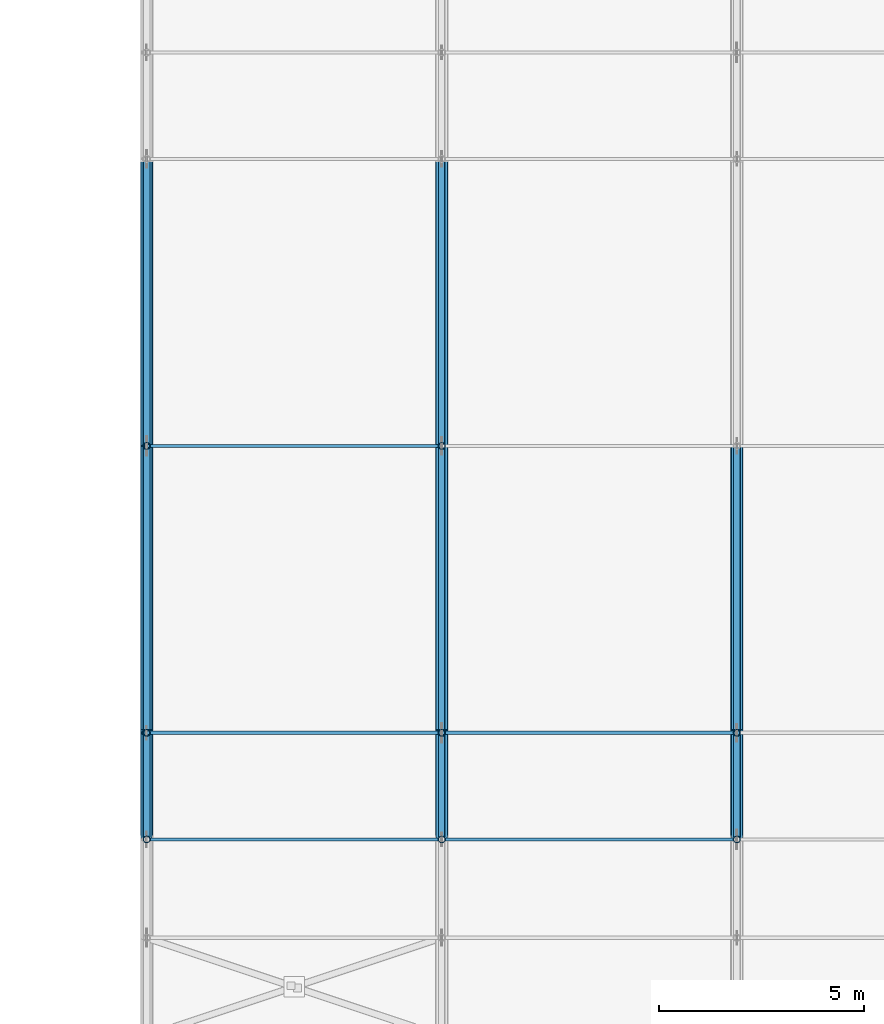
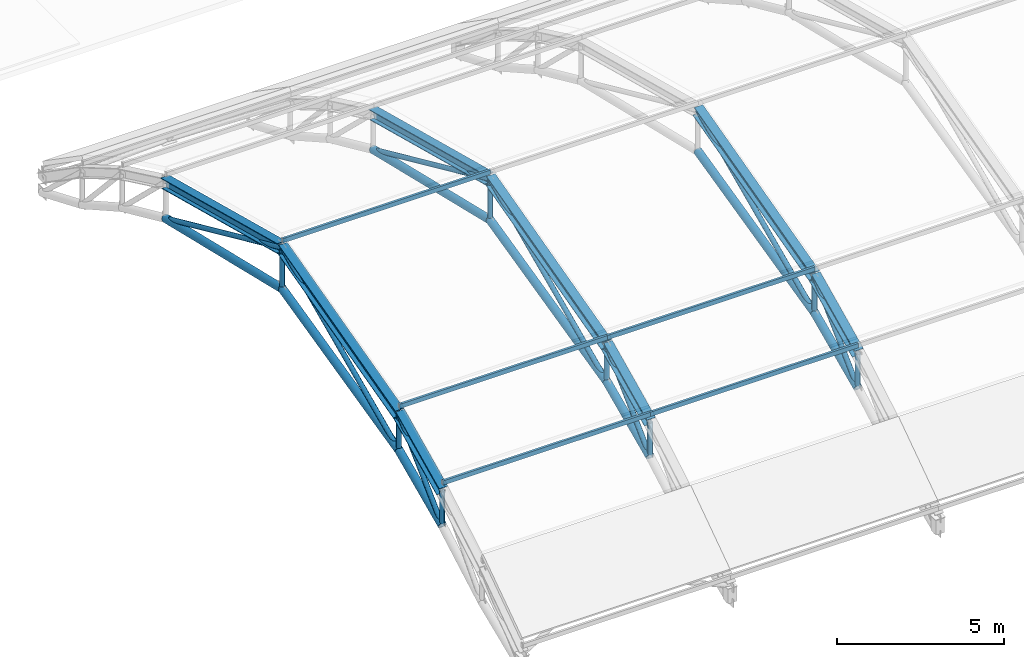
# One storey, part 10 of 63: 29 members, 8 beams.
"""IFC4 building model written with IfcOpenShell, lengths in metres."""

from ifc_helpers import new_model, si_unit, direction, frame, origin, origin_2d, place, context, subcontext, project, spatial, hollow_rectangle, hollow_circle, i_section, extrude, material, material_profile, profile_set, type_object, element, save


model = new_model("IFC4")

# Units and contexts
model_context = context("Model", 3, precision=1e-05, world=origin(), true_north=direction((0.0, 1.0)))
body_context = subcontext(model_context, "Body", "Model", "MODEL_VIEW")
ifc_project = project(units=[si_unit("LENGTHUNIT", "METRE"), si_unit("AREAUNIT", "SQUARE_METRE"), si_unit("VOLUMEUNIT", "CUBIC_METRE"), si_unit("PLANEANGLEUNIT", "RADIAN"), si_unit("MASSUNIT", "GRAM", prefix="KILO")], contexts=[model_context])

# Site, building, storey
site_placement = place(None, origin())
site = spatial("IfcSite", under=ifc_project, at=site_placement, CompositionType="ELEMENT")
building_placement = place(site_placement, origin())
building = spatial("IfcBuilding", under=site, at=building_placement, Name="Solvadek Multi-Sports Hall", CompositionType="ELEMENT")
storey_placement = place(building_placement, frame((0.0, 0.0, 19.199951171875)))
storey = spatial("IfcBuildingStorey", under=building, at=storey_placement, Name="RF", CompositionType="ELEMENT", Elevation=19.199951171875)

# Members
ifc_material_1 = material(Name="Steel E350 (350 MPa)", Category="steel")
ifc_material_profile_1 = material_profile(ifc_material_1, hollow_circle(Radius=0.084228515625, WallThickness=0.008056640625, at=origin_2d()), Name="CHS 168.3x8")
ifc_profile_set_1 = profile_set([ifc_material_profile_1], Name="Steel E350 (350 MPa)")
member_type_1 = type_object("IfcMemberType", Name="STR-BRC-CHS168", PredefinedType="BRACE", material=ifc_profile_set_1)
member_1_placement = place(storey_placement, frame((21.60009765625, 54.0, -2.441650390625), z_axis=(0.0, 0.0, 1.0), x_axis=(1.0, 0.0, 0.0)))
element("IfcMember", 1, at=member_1_placement, inside=storey, type_object=member_type_1, Name="v4 Truss 1 Web Vertical 2", PredefinedType="BRACE", context=body_context, shape_type="SweptSolid", body=[
    extrude(hollow_circle(Radius=0.084228515625, WallThickness=0.008056640625, at=origin_2d()), origin(), (0.0, 0.0, 1.0), 1.2666015625),
])
member_2_placement = place(storey_placement, frame((21.60009765625, 54.0, -2.441650390625), z_axis=(0.0, 0.720237610838, 0.693727456523), x_axis=(-1.0, 0.0, 0.0)))
element("IfcMember", 2, at=member_2_placement, inside=storey, type_object=member_type_1, Name="v4 Truss 1 Web Diagonal 3", PredefinedType="BRACE", context=body_context, shape_type="SweptSolid", body=[
    extrude(hollow_circle(Radius=0.084228515625, WallThickness=0.008056640625, at=origin_2d()), origin(), (0.0, 0.0, 1.0), 3.610107421875),
])
member_3_placement = place(storey_placement, frame((21.60009765625, 56.60009765625, -1.26708984375), z_axis=(0.0, 0.0, 1.0), x_axis=(1.0, 0.0, 0.0)))
element("IfcMember", 3, at=member_3_placement, inside=storey, type_object=member_type_1, Name="v4 Truss 1 Web Vertical 3", PredefinedType="BRACE", context=body_context, shape_type="SweptSolid", body=[
    extrude(hollow_circle(Radius=0.084228515625, WallThickness=0.008056640625, at=origin_2d()), origin(), (0.0, 0.0, 1.0), 1.329833984375),
])
member_4_placement = place(storey_placement, frame((21.60009765625, 56.60009765625, -1.26708984375), z_axis=(0.0, 0.911080077549, 0.412229417064), x_axis=(-1.0, 0.0, 0.0)))
element("IfcMember", 4, at=member_4_placement, inside=storey, type_object=member_type_1, Name="v4 Truss 1 Web Diagonal 4", PredefinedType="BRACE", context=body_context, shape_type="SweptSolid", body=[
    extrude(hollow_circle(Radius=0.084228515625, WallThickness=0.008056640625, at=origin_2d()), origin(), (0.0, 0.0, 1.0), 7.68310546875),
])
member_5_placement = place(storey_placement, frame((21.60009765625, 63.60009765625, 0.400146484375), z_axis=(0.0, 0.0, 1.0), x_axis=(1.0, 0.0, 0.0)))
element("IfcMember", 5, at=member_5_placement, inside=storey, type_object=member_type_1, Name="v4 Truss 1 Web Vertical 4", PredefinedType="BRACE", context=body_context, shape_type="SweptSolid", body=[
    extrude(hollow_circle(Radius=0.084228515625, WallThickness=0.008056640625, at=origin_2d()), origin(), (0.0, 0.0, 1.0), 1.5),
])
member_6_placement = place(storey_placement, frame((21.60009765625, 63.60009765625, 1.900146484375), z_axis=(0.0, 0.911080077549, -0.412229417064), x_axis=(-1.0, 0.0, 0.0)))
element("IfcMember", 6, at=member_6_placement, inside=storey, type_object=member_type_1, Name="v4 Truss 1 Web Diagonal 5", PredefinedType="BRACE", context=body_context, shape_type="SweptSolid", body=[
    extrude(hollow_circle(Radius=0.084228515625, WallThickness=0.008056640625, at=origin_2d()), origin(), (0.0, 0.0, 1.0), 7.68310546875),
])
member_7_placement = place(storey_placement, frame((28.800048828125, 54.0, -2.441650390625), z_axis=(0.0, 0.0, 1.0), x_axis=(1.0, 0.0, 0.0)))
element("IfcMember", 7, at=member_7_placement, inside=storey, type_object=member_type_1, Name="v4 Truss 2 Web Vertical 2", PredefinedType="BRACE", context=body_context, shape_type="SweptSolid", body=[
    extrude(hollow_circle(Radius=0.084228515625, WallThickness=0.008056640625, at=origin_2d()), origin(), (0.0, 0.0, 1.0), 1.2666015625),
])
member_8_placement = place(storey_placement, frame((28.800048828125, 54.0, -2.441650390625), z_axis=(0.0, 0.720237610838, 0.693727456523), x_axis=(-1.0, 0.0, 0.0)))
element("IfcMember", 8, at=member_8_placement, inside=storey, type_object=member_type_1, Name="v4 Truss 2 Web Diagonal 3", PredefinedType="BRACE", context=body_context, shape_type="SweptSolid", body=[
    extrude(hollow_circle(Radius=0.084228515625, WallThickness=0.008056640625, at=origin_2d()), origin(), (0.0, 0.0, 1.0), 3.610107421875),
])
member_9_placement = place(storey_placement, frame((28.800048828125, 56.60009765625, -1.26708984375), z_axis=(0.0, 0.0, 1.0), x_axis=(1.0, 0.0, 0.0)))
element("IfcMember", 9, at=member_9_placement, inside=storey, type_object=member_type_1, Name="v4 Truss 2 Web Vertical 3", PredefinedType="BRACE", context=body_context, shape_type="SweptSolid", body=[
    extrude(hollow_circle(Radius=0.084228515625, WallThickness=0.008056640625, at=origin_2d()), origin(), (0.0, 0.0, 1.0), 1.329833984375),
])
member_10_placement = place(storey_placement, frame((28.800048828125, 56.60009765625, -1.26708984375), z_axis=(0.0, 0.911080077549, 0.412229417064), x_axis=(-1.0, 0.0, 0.0)))
element("IfcMember", 10, at=member_10_placement, inside=storey, type_object=member_type_1, Name="v4 Truss 2 Web Diagonal 4", PredefinedType="BRACE", context=body_context, shape_type="SweptSolid", body=[
    extrude(hollow_circle(Radius=0.084228515625, WallThickness=0.008056640625, at=origin_2d()), origin(), (0.0, 0.0, 1.0), 7.68310546875),
])
member_11_placement = place(storey_placement, frame((28.800048828125, 63.60009765625, 0.400146484375), z_axis=(0.0, 0.0, 1.0), x_axis=(1.0, 0.0, 0.0)))
element("IfcMember", 11, at=member_11_placement, inside=storey, type_object=member_type_1, Name="v4 Truss 2 Web Vertical 4", PredefinedType="BRACE", context=body_context, shape_type="SweptSolid", body=[
    extrude(hollow_circle(Radius=0.084228515625, WallThickness=0.008056640625, at=origin_2d()), origin(), (0.0, 0.0, 1.0), 1.5),
])
member_12_placement = place(storey_placement, frame((28.800048828125, 63.60009765625, 1.900146484375), z_axis=(0.0, 0.911080077549, -0.412229417064), x_axis=(-1.0, 0.0, 0.0)))
element("IfcMember", 12, at=member_12_placement, inside=storey, type_object=member_type_1, Name="v4 Truss 2 Web Diagonal 5", PredefinedType="BRACE", context=body_context, shape_type="SweptSolid", body=[
    extrude(hollow_circle(Radius=0.084228515625, WallThickness=0.008056640625, at=origin_2d()), origin(), (0.0, 0.0, 1.0), 7.68310546875),
])
member_13_placement = place(storey_placement, frame((36.0, 54.0, -2.441650390625), z_axis=(0.0, 0.0, 1.0), x_axis=(1.0, 0.0, 0.0)))
element("IfcMember", 13, at=member_13_placement, inside=storey, type_object=member_type_1, Name="v4 Truss 3 Web Vertical 2", PredefinedType="BRACE", context=body_context, shape_type="SweptSolid", body=[
    extrude(hollow_circle(Radius=0.084228515625, WallThickness=0.008056640625, at=origin_2d()), origin(), (0.0, 0.0, 1.0), 1.2666015625),
])
member_14_placement = place(storey_placement, frame((36.0, 54.0, -2.441650390625), z_axis=(0.0, 0.720237610838, 0.693727456523), x_axis=(-1.0, 0.0, 0.0)))
element("IfcMember", 14, at=member_14_placement, inside=storey, type_object=member_type_1, Name="v4 Truss 3 Web Diagonal 3", PredefinedType="BRACE", context=body_context, shape_type="SweptSolid", body=[
    extrude(hollow_circle(Radius=0.084228515625, WallThickness=0.008056640625, at=origin_2d()), origin(), (0.0, 0.0, 1.0), 3.610107421875),
])
member_15_placement = place(storey_placement, frame((36.0, 56.60009765625, -1.26708984375), z_axis=(0.0, 0.0, 1.0), x_axis=(1.0, 0.0, 0.0)))
element("IfcMember", 15, at=member_15_placement, inside=storey, type_object=member_type_1, Name="v4 Truss 3 Web Vertical 3", PredefinedType="BRACE", context=body_context, shape_type="SweptSolid", body=[
    extrude(hollow_circle(Radius=0.084228515625, WallThickness=0.008056640625, at=origin_2d()), origin(), (0.0, 0.0, 1.0), 1.329833984375),
])
member_16_placement = place(storey_placement, frame((36.0, 56.60009765625, -1.26708984375), z_axis=(0.0, 0.911080077549, 0.412229417064), x_axis=(-1.0, 0.0, 0.0)))
element("IfcMember", 16, at=member_16_placement, inside=storey, type_object=member_type_1, Name="v4 Truss 3 Web Diagonal 4", PredefinedType="BRACE", context=body_context, shape_type="SweptSolid", body=[
    extrude(hollow_circle(Radius=0.084228515625, WallThickness=0.008056640625, at=origin_2d()), origin(), (0.0, 0.0, 1.0), 7.68310546875),
])
ifc_material_profile_2 = material_profile(ifc_material_1, hollow_circle(Radius=0.136474609375, WallThickness=0.011962890625, at=origin_2d()), Name="CHS 273.0x12")
ifc_profile_set_2 = profile_set([ifc_material_profile_2], Name="Steel E350 (350 MPa)")
member_type_2 = type_object("IfcMemberType", Name="STR-CHD-CHS273", PredefinedType="CHORD", material=ifc_profile_set_2)
member_17_placement = place(storey_placement, frame((21.60009765625, 54.0, -2.441650390625), z_axis=(0.0, 0.911328142268, 0.411680722296), x_axis=(-1.0, 0.0, 0.0)))
element("IfcMember", 17, at=member_17_placement, inside=storey, type_object=member_type_2, Name="v4 Arched Truss 1 Bottom Chord 3", PredefinedType="CHORD", context=body_context, shape_type="SweptSolid", body=[
    extrude(hollow_circle(Radius=0.136474609375, WallThickness=0.011962890625, at=origin_2d()), origin(), (0.0, 0.0, 1.0), 2.85302734375),
])
for number, where, z_axis, x_axis, name in (
    (18, (21.60009765625, 56.60009765625, -1.26708984375), (0.0, 0.972788374031, 0.231695445252), (-1.0, 0.0, 0.0), "v4 Arched Truss 1 Bottom Chord 4"),
    (19, (21.60009765625, 63.60009765625, 0.400146484375), (0.0, 0.972788374031, -0.231695445252), (-1.0, 0.0, 0.0), "v4 Arched Truss 1 Bottom Chord 5"),
):
    element("IfcMember", number, at=place(storey_placement, frame(where, z_axis=z_axis, x_axis=x_axis)), inside=storey, type_object=member_type_2, Name=name, PredefinedType="CHORD", context=body_context, shape_type="SweptSolid", body=[
        extrude(hollow_circle(Radius=0.136474609375, WallThickness=0.011962890625, at=origin_2d()), origin(), (0.0, 0.0, 1.0), 7.19580078125),
    ])
member_18_placement = place(storey_placement, frame((28.800048828125, 54.0, -2.441650390625), z_axis=(0.0, 0.911328142268, 0.411680722296), x_axis=(-1.0, 0.0, 0.0)))
element("IfcMember", 20, at=member_18_placement, inside=storey, type_object=member_type_2, Name="v4 Arched Truss 2 Bottom Chord 3", PredefinedType="CHORD", context=body_context, shape_type="SweptSolid", body=[
    extrude(hollow_circle(Radius=0.136474609375, WallThickness=0.011962890625, at=origin_2d()), origin(), (0.0, 0.0, 1.0), 2.85302734375),
])
for number, where, z_axis, x_axis, name in (
    (21, (28.800048828125, 56.60009765625, -1.26708984375), (0.0, 0.972788374031, 0.231695445252), (-1.0, 0.0, 0.0), "v4 Arched Truss 2 Bottom Chord 4"),
    (22, (28.800048828125, 63.60009765625, 0.400146484375), (0.0, 0.972788374031, -0.231695445252), (-1.0, 0.0, 0.0), "v4 Arched Truss 2 Bottom Chord 5"),
):
    element("IfcMember", number, at=place(storey_placement, frame(where, z_axis=z_axis, x_axis=x_axis)), inside=storey, type_object=member_type_2, Name=name, PredefinedType="CHORD", context=body_context, shape_type="SweptSolid", body=[
        extrude(hollow_circle(Radius=0.136474609375, WallThickness=0.011962890625, at=origin_2d()), origin(), (0.0, 0.0, 1.0), 7.19580078125),
    ])
member_19_placement = place(storey_placement, frame((36.0, 54.0, -2.441650390625), z_axis=(0.0, 0.911328142268, 0.411680722296), x_axis=(-1.0, 0.0, 0.0)))
element("IfcMember", 23, at=member_19_placement, inside=storey, type_object=member_type_2, Name="v4 Arched Truss 3 Bottom Chord 3", PredefinedType="CHORD", context=body_context, shape_type="SweptSolid", body=[
    extrude(hollow_circle(Radius=0.136474609375, WallThickness=0.011962890625, at=origin_2d()), origin(), (0.0, 0.0, 1.0), 2.85302734375),
])
member_20_placement = place(storey_placement, frame((36.0, 56.60009765625, -1.26708984375), z_axis=(0.0, 0.972788374031, 0.231695445252), x_axis=(-1.0, 0.0, 0.0)))
element("IfcMember", 24, at=member_20_placement, inside=storey, type_object=member_type_2, Name="v4 Arched Truss 3 Bottom Chord 4", PredefinedType="CHORD", context=body_context, shape_type="SweptSolid", body=[
    extrude(hollow_circle(Radius=0.136474609375, WallThickness=0.011962890625, at=origin_2d()), origin(), (0.0, 0.0, 1.0), 7.19580078125),
])
ifc_material_2 = material(Name="Steel E250 (250 MPa)", Category="steel")
ifc_material_profile_3 = material_profile(ifc_material_2, hollow_rectangle(XDim=0.080078125, YDim=0.159912109375, WallThickness=0.006103515625, at=origin_2d()), Name="RHS 160x80x6")
ifc_profile_set_3 = profile_set([ifc_material_profile_3], Name="Steel E250 (250 MPa)")
member_type_3 = type_object("IfcMemberType", Name="STR-PUR-RHS160", PredefinedType="PURLIN", material=ifc_profile_set_3)
for number, where, z_axis, x_axis, name in (
    (25, (21.60009765625, 54.0, -0.88232421875), (1.0, 0.0, 0.0), (0.0, 1.0, 0.0), "V4 Roof Purlin #66"),
    (26, (21.60009765625, 56.60009765625, 0.34619140625), (1.0, 0.0, 0.0), (0.0, 1.0, 0.0), "V4 Roof Purlin #67"),
    (27, (21.60009765625, 63.60009765625, 2.170166015625), (1.0, 0.0, 0.0), (0.0, 1.0, 0.0), "V4 Roof Purlin #68"),
    (28, (28.800048828125, 54.0, -0.88232421875), (1.0, 0.0, 0.0), (0.0, 1.0, 0.0), "V4 Roof Purlin #75"),
    (29, (28.800048828125, 56.60009765625, 0.34619140625), (1.0, 0.0, 0.0), (0.0, 1.0, 0.0), "V4 Roof Purlin #76"),
):
    element("IfcMember", number, at=place(storey_placement, frame(where, z_axis=z_axis, x_axis=x_axis)), inside=storey, type_object=member_type_3, Name=name, PredefinedType="PURLIN", context=body_context, shape_type="SweptSolid", body=[
        extrude(hollow_rectangle(XDim=0.080078125, YDim=0.159912109375, WallThickness=0.006103515625, at=origin_2d()), origin(), (0.0, 0.0, 1.0), 7.199951171875),
    ])

# Beams
ifc_material_profile_4 = material_profile(ifc_material_1, i_section(OverallWidth=0.300048828125, OverallDepth=0.360107421875, WebThickness=0.012451171875, FlangeThickness=0.0224609375, at=origin_2d()), Name="WPB 360")
ifc_profile_set_4 = profile_set([ifc_material_profile_4], Name="Steel E350 (350 MPa)")
beam_type = type_object("IfcBeamType", Name="STR-TRS-WPB360", PredefinedType="USERDEFINED", material=ifc_profile_set_4)
beam_1_placement = place(storey_placement, frame((21.60009765625, 54.0, -1.175048828125), z_axis=(0.0, 0.902907526392, 0.429834850592), x_axis=(-1.0, 0.0, 0.0)))
element("IfcBeam", 30, at=beam_1_placement, inside=storey, type_object=beam_type, Name="v4 Arched Truss 1 Top Chord 3", ObjectType="ROOF TRUSS", PredefinedType="USERDEFINED", context=body_context, shape_type="SweptSolid", body=[
    extrude(i_section(OverallWidth=0.300048828125, OverallDepth=0.360107421875, WebThickness=0.012451171875, FlangeThickness=0.0224609375, at=origin_2d()), origin(), (0.0, 0.0, 1.0), 2.879638671875),
])
for number, where, z_axis, x_axis, name in (
    (31, (21.60009765625, 56.60009765625, 0.062744140625), (0.0, 0.967234279075, 0.253885504475), (-1.0, 0.0, 0.0), "v4 Arched Truss 1 Top Chord 4"),
    (32, (21.60009765625, 63.60009765625, 1.900146484375), (0.0, 0.967234279075, -0.253885504475), (-1.0, 0.0, 0.0), "v4 Arched Truss 1 Top Chord 5"),
):
    element("IfcBeam", number, at=place(storey_placement, frame(where, z_axis=z_axis, x_axis=x_axis)), inside=storey, type_object=beam_type, Name=name, ObjectType="ROOF TRUSS", PredefinedType="USERDEFINED", context=body_context, shape_type="SweptSolid", body=[
        extrude(i_section(OverallWidth=0.300048828125, OverallDepth=0.360107421875, WebThickness=0.012451171875, FlangeThickness=0.0224609375, at=origin_2d()), origin(), (0.0, 0.0, 1.0), 7.237060546875),
    ])
beam_2_placement = place(storey_placement, frame((28.800048828125, 54.0, -1.175048828125), z_axis=(0.0, 0.902907526392, 0.429834850592), x_axis=(-1.0, 0.0, 0.0)))
element("IfcBeam", 33, at=beam_2_placement, inside=storey, type_object=beam_type, Name="v4 Arched Truss 2 Top Chord 3", ObjectType="ROOF TRUSS", PredefinedType="USERDEFINED", context=body_context, shape_type="SweptSolid", body=[
    extrude(i_section(OverallWidth=0.300048828125, OverallDepth=0.360107421875, WebThickness=0.012451171875, FlangeThickness=0.0224609375, at=origin_2d()), origin(), (0.0, 0.0, 1.0), 2.879638671875),
])
for number, where, z_axis, x_axis, name in (
    (34, (28.800048828125, 56.60009765625, 0.062744140625), (0.0, 0.967234279075, 0.253885504475), (-1.0, 0.0, 0.0), "v4 Arched Truss 2 Top Chord 4"),
    (35, (28.800048828125, 63.60009765625, 1.900146484375), (0.0, 0.967234279075, -0.253885504475), (-1.0, 0.0, 0.0), "v4 Arched Truss 2 Top Chord 5"),
):
    element("IfcBeam", number, at=place(storey_placement, frame(where, z_axis=z_axis, x_axis=x_axis)), inside=storey, type_object=beam_type, Name=name, ObjectType="ROOF TRUSS", PredefinedType="USERDEFINED", context=body_context, shape_type="SweptSolid", body=[
        extrude(i_section(OverallWidth=0.300048828125, OverallDepth=0.360107421875, WebThickness=0.012451171875, FlangeThickness=0.0224609375, at=origin_2d()), origin(), (0.0, 0.0, 1.0), 7.237060546875),
    ])
beam_3_placement = place(storey_placement, frame((36.0, 54.0, -1.175048828125), z_axis=(0.0, 0.902907526392, 0.429834850592), x_axis=(-1.0, 0.0, 0.0)))
element("IfcBeam", 36, at=beam_3_placement, inside=storey, type_object=beam_type, Name="v4 Arched Truss 3 Top Chord 3", ObjectType="ROOF TRUSS", PredefinedType="USERDEFINED", context=body_context, shape_type="SweptSolid", body=[
    extrude(i_section(OverallWidth=0.300048828125, OverallDepth=0.360107421875, WebThickness=0.012451171875, FlangeThickness=0.0224609375, at=origin_2d()), origin(), (0.0, 0.0, 1.0), 2.879638671875),
])
beam_4_placement = place(storey_placement, frame((36.0, 56.60009765625, 0.062744140625), z_axis=(0.0, 0.967234279075, 0.253885504475), x_axis=(-1.0, 0.0, 0.0)))
element("IfcBeam", 37, at=beam_4_placement, inside=storey, type_object=beam_type, Name="v4 Arched Truss 3 Top Chord 4", ObjectType="ROOF TRUSS", PredefinedType="USERDEFINED", context=body_context, shape_type="SweptSolid", body=[
    extrude(i_section(OverallWidth=0.300048828125, OverallDepth=0.360107421875, WebThickness=0.012451171875, FlangeThickness=0.0224609375, at=origin_2d()), origin(), (0.0, 0.0, 1.0), 7.237060546875),
])

save(model, "model.ifc")
